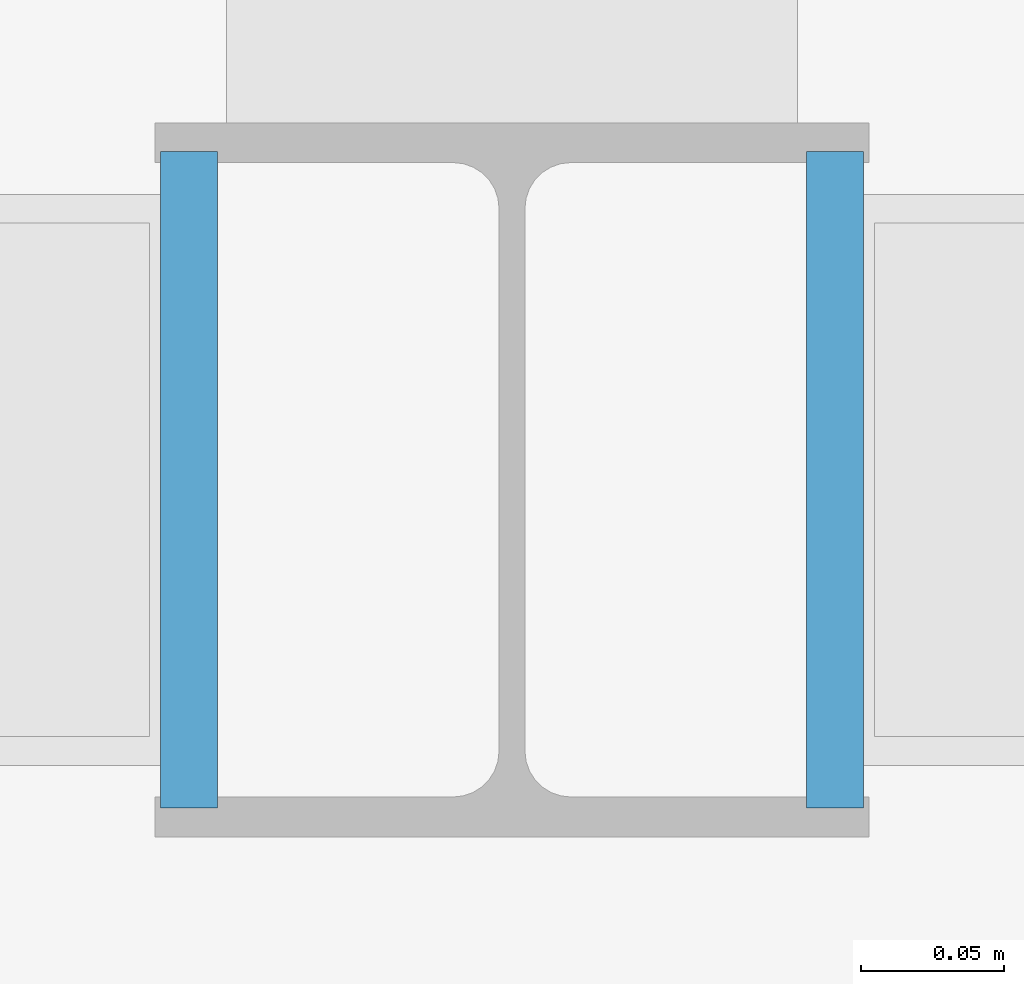
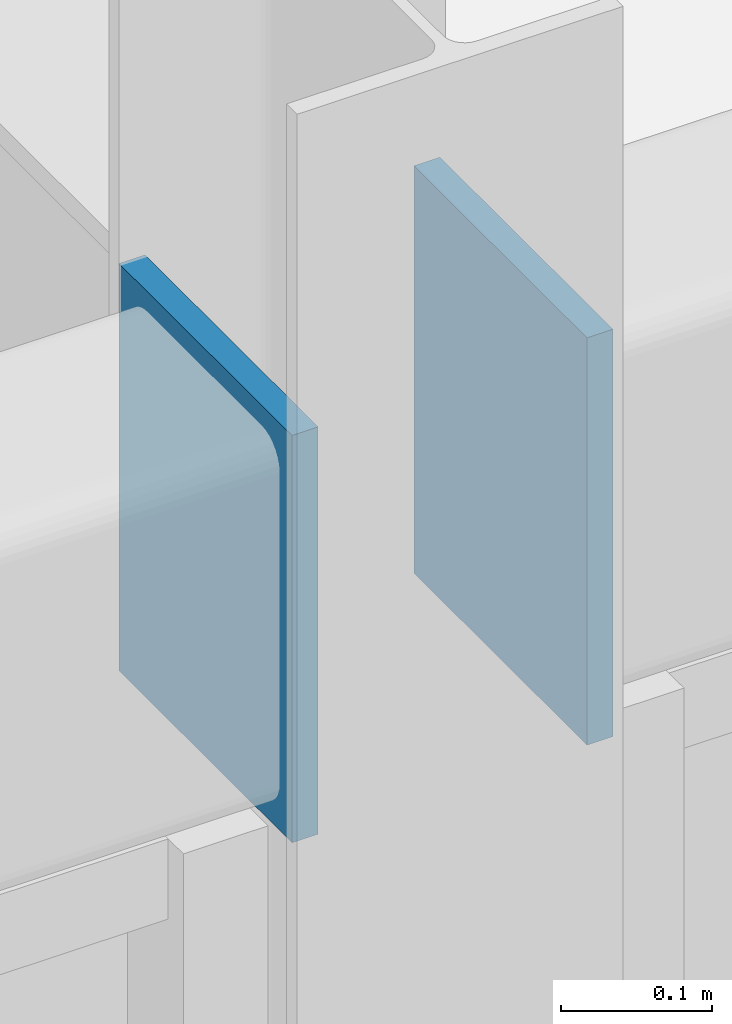
# One storey, part 148 of 184: 2 plates.
"""IFC4 building model written with IfcOpenShell, lengths in metres."""

from ifc_helpers import new_model, si_unit, direction, frame, origin, origin_2d, place, context, subcontext, project, spatial, rectangle, extrude, material, layer, layer_set, type_object, element, save


model = new_model("IFC4")

# Units and contexts
model_context = context("Model", 3, precision=1e-05, world=origin(), true_north=direction((0.0, 1.0)))
body_context = subcontext(model_context, "Body", "Model", "MODEL_VIEW")
ifc_project = project(units=[si_unit("LENGTHUNIT", "METRE"), si_unit("AREAUNIT", "SQUARE_METRE"), si_unit("VOLUMEUNIT", "CUBIC_METRE"), si_unit("PLANEANGLEUNIT", "RADIAN"), si_unit("MASSUNIT", "GRAM", prefix="KILO")], contexts=[model_context])

# Site, building, storey
site_placement = place(None, origin())
site = spatial("IfcSite", under=ifc_project, at=site_placement, CompositionType="ELEMENT")
building_placement = place(site_placement, origin())
building = spatial("IfcBuilding", under=site, at=building_placement, Name="Zhaolan Boulevard Law Courts", CompositionType="ELEMENT")
storey_placement = place(building_placement, frame((0.0, 0.0, 5.39990234375)))
storey = spatial("IfcBuildingStorey", under=building, at=storey_placement, Name="L01", CompositionType="ELEMENT", Elevation=5.39990234375)

# Plates
ifc_material = material(Name="Structural steel Q355B", Category="steel")
ifc_layer = layer(ifc_material, 0.02001953125)
ifc_layer_set = layer_set([ifc_layer])
plate_type = type_object("IfcPlateType", Name="END CAP PLATE 20", PredefinedType="SHEET", material=ifc_layer_set)
for number, where, z_axis, x_axis, name in (
    (1, (155.886962890625, 6.0, 4.802978515625), (0.0, 0.0, 1.0), (1.0, 0.0, 0.0), "Hollow Section End-Cap Plate ECP-0720"),
    (2, (156.113037109375, 6.0, 4.802978515625), (0.0, 0.0, 1.0), (1.0, 0.0, 0.0), "Hollow Section End-Cap Plate ECP-0721"),
):
    element("IfcPlate", number, at=place(storey_placement, frame(where, z_axis=z_axis, x_axis=x_axis)), inside=storey, type_object=plate_type, Name=name, PredefinedType="SHEET", context=body_context, shape_type="SweptSolid", body=[
        extrude(rectangle(XDim=0.02001953125, YDim=0.22998046875, at=origin_2d()), origin(), (0.0, 0.0, 1.0), 0.330078125),
    ])

save(model, "model.ifc")
